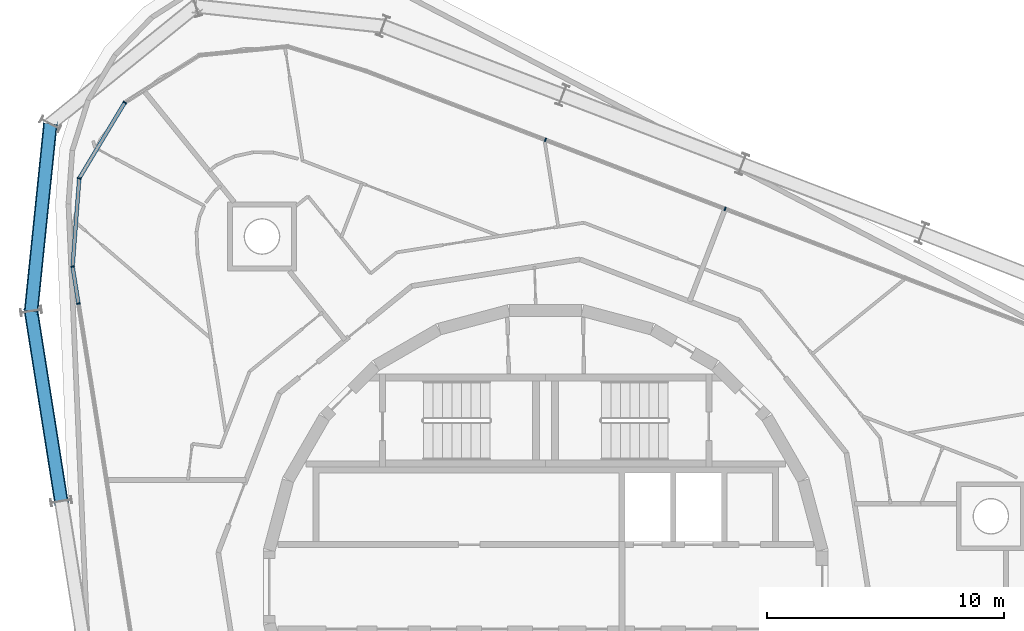
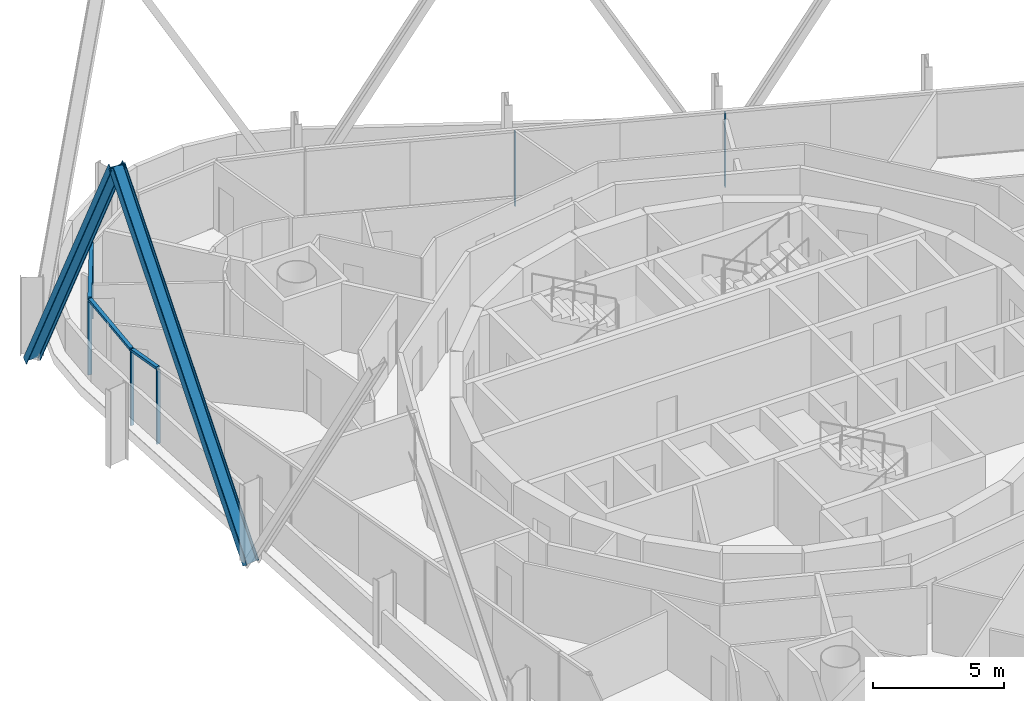
# One storey, part 6 of 19: 11 members, 3 elements without a shape of their own.
"""IFC4 building model written with IfcOpenShell, lengths in metres."""

from ifc_helpers import new_model, si_unit, direction, frame, origin, origin_2d, place, context, subcontext, project, spatial, rectangle, i_section, extrude, material, layer, layer_set, material_profile, profile_set, type_object, element, aggregate, save


model = new_model("IFC4")

# Units and contexts
model_context = context("Model", 3, precision=1e-05, world=origin(), true_north=direction((0.0, 1.0)))
body_context = subcontext(model_context, "Body", "Model", "MODEL_VIEW")
ifc_project = project(units=[si_unit("LENGTHUNIT", "METRE"), si_unit("AREAUNIT", "SQUARE_METRE"), si_unit("VOLUMEUNIT", "CUBIC_METRE"), si_unit("PLANEANGLEUNIT", "RADIAN"), si_unit("MASSUNIT", "GRAM", prefix="KILO")], contexts=[model_context])

# Site, building, storey
site_placement = place(None, origin())
site = spatial("IfcSite", under=ifc_project, at=site_placement, CompositionType="ELEMENT")
building_placement = place(site_placement, origin())
building = spatial("IfcBuilding", under=site, at=building_placement, Name="Spindle Arch Residences", CompositionType="ELEMENT")
storey_placement = place(building_placement, frame((0.0, 0.0, 263.39990234375)))
storey = spatial("IfcBuildingStorey", under=building, at=storey_placement, Name="L67", CompositionType="ELEMENT", Elevation=263.39990234375)

# Curtain wall, members
ifc_material_1 = material(Name="Aluminium bronze unitised frame with tinted glass", Category="aluminium")
ifc_layer_1 = layer(ifc_material_1, 0.159912109375)
ifc_layer_set_1 = layer_set([ifc_layer_1], Name="CW-C typical residential unitised wall")
curtain_wall_type_1 = type_object("IfcCurtainWallType", Name="CW-C typical residential unitised wall", PredefinedType="NOTDEFINED", material=ifc_layer_set_1)
curtain_wall_1_placement = place(storey_placement, origin())
curtain_wall_1 = element("IfcCurtainWall", 1, at=curtain_wall_1_placement, inside=storey, type_object=curtain_wall_type_1, Name="CW-C L67 run 2", PredefinedType="NOTDEFINED")
ifc_material_2 = material(Name="Aluminium bronze anodised mullion", Category="aluminium")
ifc_material_profile_1 = material_profile(ifc_material_2, rectangle(XDim=0.159912109375, YDim=0.06005859375, at=origin_2d()), Name="MU 60x160")
ifc_profile_set_1 = profile_set([ifc_material_profile_1], Name="Aluminium bronze anodised mullion")
member_type_1 = type_object("IfcMemberType", Name="Bronze mullion 60x160", PredefinedType="MULLION", material=ifc_profile_set_1)
member_1_placement = place(storey_placement, frame((7.560302734375, 15.9248046875, -0.449951171875), z_axis=(0.0, 0.0, 1.0), x_axis=(-0.358367949545, -0.933580426497, 0.0)))
member_1 = element("IfcMember", 2, at=member_1_placement, type_object=member_type_1, Name="CW-C mullion 06", PredefinedType="MULLION", context=body_context, shape_type="SweptSolid", body=[
    extrude(rectangle(XDim=0.159912109375, YDim=0.06005859375, at=origin_2d()), origin(), (0.0, 0.0, 1.0), 3.449951171875),
])
member_2_placement = place(storey_placement, frame((-0.0087890625, 18.830322265625, -0.449951171875), z_axis=(0.0, 0.0, 1.0), x_axis=(-0.358367949545, -0.933580426497, 0.0)))
member_2 = element("IfcMember", 3, at=member_2_placement, type_object=member_type_1, Name="CW-C mullion 07", PredefinedType="MULLION", context=body_context, shape_type="SweptSolid", body=[
    extrude(rectangle(XDim=0.159912109375, YDim=0.06005859375, at=origin_2d()), origin(), (0.0, 0.0, 1.0), 3.449951171875),
])
aggregate(curtain_wall_1, [member_1, member_2])

ifc_material_3 = material(Name="Aluminium bronze unitised frame with tinted glass", Category="aluminium")
ifc_layer_2 = layer(ifc_material_3, 0.159912109375)
ifc_layer_set_2 = layer_set([ifc_layer_2], Name="CW-D corner wall on the fillet arcs")
curtain_wall_type_2 = type_object("IfcCurtainWallType", Name="CW-D corner wall on the fillet arcs", PredefinedType="NOTDEFINED", material=ifc_layer_set_2)
curtain_wall_2_placement = place(storey_placement, origin())
curtain_wall_2 = element("IfcCurtainWall", 4, at=curtain_wall_2_placement, inside=storey, type_object=curtain_wall_type_2, Name="CW-D L67 run 3", PredefinedType="NOTDEFINED")
member_3_placement = place(storey_placement, frame((-17.732421875, 20.406982421875, -0.449951171875), z_axis=(0.0, 0.0, 1.0), x_axis=(0.857167301925, -0.515038072875, 0.0)))
member_3 = element("IfcMember", 5, at=member_3_placement, type_object=member_type_1, Name="CW-D mullion 03", PredefinedType="MULLION", context=body_context, shape_type="SweptSolid", body=[
    extrude(rectangle(XDim=0.159912109375, YDim=0.06005859375, at=origin_2d()), origin(), (0.0, 0.0, 1.0), 3.449951171875),
])
member_4_placement = place(storey_placement, frame((-19.65185546875, 17.212646484375, -0.449951171875), z_axis=(0.0, 0.0, 1.0), x_axis=(0.997141344139, -0.07555884997, 0.0)))
member_4 = element("IfcMember", 6, at=member_4_placement, type_object=member_type_1, Name="CW-D mullion 04", PredefinedType="MULLION", context=body_context, shape_type="SweptSolid", body=[
    extrude(rectangle(XDim=0.159912109375, YDim=0.06005859375, at=origin_2d()), origin(), (0.0, 0.0, 1.0), 3.449951171875),
])
member_5_placement = place(storey_placement, frame((-19.933349609375, 13.49658203125, -0.449951171875), z_axis=(0.0, 0.0, 1.0), x_axis=(0.987688340595, 0.15643446504, 0.0)))
member_5 = element("IfcMember", 7, at=member_5_placement, type_object=member_type_1, Name="CW-D mullion 05", PredefinedType="MULLION", context=body_context, shape_type="SweptSolid", body=[
    extrude(rectangle(XDim=0.159912109375, YDim=0.06005859375, at=origin_2d()), origin(), (0.0, 0.0, 1.0), 3.449951171875),
])

# Curtain wall, member
curtain_wall_3_placement = place(storey_placement, origin())
curtain_wall_3 = element("IfcCurtainWall", 8, at=curtain_wall_3_placement, inside=storey, type_object=curtain_wall_type_1, Name="CW-C L67 run 4", PredefinedType="NOTDEFINED")
member_6_placement = place(storey_placement, frame((-19.685546875, 11.931396484375, -0.449951171875), z_axis=(0.0, 0.0, 1.0), x_axis=(0.987688340595, 0.15643446504, 0.0)))
member_6 = element("IfcMember", 9, at=member_6_placement, type_object=member_type_1, Name="CW-C mullion 11", PredefinedType="MULLION", context=body_context, shape_type="SweptSolid", body=[
    extrude(rectangle(XDim=0.159912109375, YDim=0.06005859375, at=origin_2d()), origin(), (0.0, 0.0, 1.0), 3.449951171875),
])
aggregate(curtain_wall_3, [member_6])

# Member
ifc_material_4 = material(Name="Aluminium bronze anodised transom", Category="aluminium")
ifc_material_profile_2 = material_profile(ifc_material_4, rectangle(XDim=0.159912109375, YDim=0.1201171875, at=origin_2d()), Name="TR 120x160")
ifc_profile_set_2 = profile_set([ifc_material_profile_2], Name="Aluminium bronze anodised transom")
member_type_2 = type_object("IfcMemberType", Name="Bronze transom 120x160", PredefinedType="USERDEFINED", material=ifc_profile_set_2)
member_7_placement = place(storey_placement, frame((-17.747802734375, 20.38134765625, 3.06005859375), z_axis=(-0.515014612012, -0.857181398196, 0.0), x_axis=(0.857181398196, -0.515014612012, 0.0)))
member_7 = element("IfcMember", 10, at=member_7_placement, type_object=member_type_2, Name="CW-D transom 03", ObjectType="TRANSOM", PredefinedType="USERDEFINED", context=body_context, shape_type="SweptSolid", body=[
    extrude(rectangle(XDim=0.159912109375, YDim=0.1201171875, at=origin_2d()), origin(), (0.0, 0.0, 1.0), 3.666748046875),
])

member_8_placement = place(storey_placement, frame((-19.654052734375, 17.1826171875, 3.06005859375), z_axis=(-0.07557120479, -0.99714040787, 0.0), x_axis=(0.99714040787, -0.07557120479, 0.0)))
member_8 = element("IfcMember", 11, at=member_8_placement, type_object=member_type_2, Name="CW-D transom 04", ObjectType="TRANSOM", PredefinedType="USERDEFINED", context=body_context, shape_type="SweptSolid", body=[
    extrude(rectangle(XDim=0.159912109375, YDim=0.1201171875, at=origin_2d()), origin(), (0.0, 0.0, 1.0), 3.666748046875),
])

member_9_placement = place(storey_placement, frame((-19.9287109375, 13.466796875, 3.06005859375), z_axis=(0.156447707445, -0.987686243113, 0.0), x_axis=(0.987686243113, 0.156447707445, 0.0)))
member_9 = element("IfcMember", 12, at=member_9_placement, type_object=member_type_2, Name="CW-D transom 05", ObjectType="TRANSOM", PredefinedType="USERDEFINED", context=body_context, shape_type="SweptSolid", body=[
    extrude(rectangle(XDim=0.159912109375, YDim=0.1201171875, at=origin_2d()), origin(), (0.0, 0.0, 1.0), 1.524658203125),
])

aggregate(curtain_wall_2, [member_3, member_7, member_4, member_8, member_5, member_9])

# Members
ifc_material_5 = material(Name="Steel S460ML, intumescent coating R 240", Category="steel")
ifc_material_profile_3 = material_profile(ifc_material_5, i_section(OverallWidth=0.300048828125, OverallDepth=0.60009765625, WebThickness=0.015380859375, FlangeThickness=0.030029296875, FilletRadius=0.027099609375, at=origin_2d()), Name="HEB 600")
ifc_profile_set_3 = profile_set([ifc_material_profile_3], Name="Steel S460ML, intumescent coating R 240")
member_type_3 = type_object("IfcMemberType", Name="Diagrid diagonal HEB 600", PredefinedType="BRACE", material=ifc_profile_set_3)
member_10_placement = place(storey_placement, frame((-20.870361328125, 19.502685546875, -0.699951171875), z_axis=(-0.050172312809, -0.488375085844, 0.871190286077), x_axis=(0.089031534896, 0.866629044256, 0.490945501503)))
element("IfcMember", 13, at=member_10_placement, inside=storey, type_object=member_type_3, Name="Diagrid diagonal 7.1.11", PredefinedType="BRACE", context=body_context, shape_type="SweptSolid", body=[
    extrude(i_section(OverallWidth=0.300048828125, OverallDepth=0.60009765625, WebThickness=0.015380859375, FlangeThickness=0.030029296875, FilletRadius=0.027099609375, at=origin_2d()), origin(), (0.0, 0.0, 1.0), 16.150390625),
])
member_11_placement = place(storey_placement, frame((-20.412353515625, 3.607666015625, -0.699951171875), z_axis=(-0.078104013271, 0.493115212948, 0.866450892936), x_axis=(0.135546567877, -0.855782845006, 0.499262305937)))
element("IfcMember", 14, at=member_11_placement, inside=storey, type_object=member_type_3, Name="Diagrid diagonal 7.1.12", PredefinedType="BRACE", context=body_context, shape_type="SweptSolid", body=[
    extrude(i_section(OverallWidth=0.300048828125, OverallDepth=0.60009765625, WebThickness=0.015380859375, FlangeThickness=0.030029296875, FilletRadius=0.027099609375, at=origin_2d()), origin(), (0.0, 0.0, 1.0), 16.23876953125),
])

save(model, "model.ifc")
